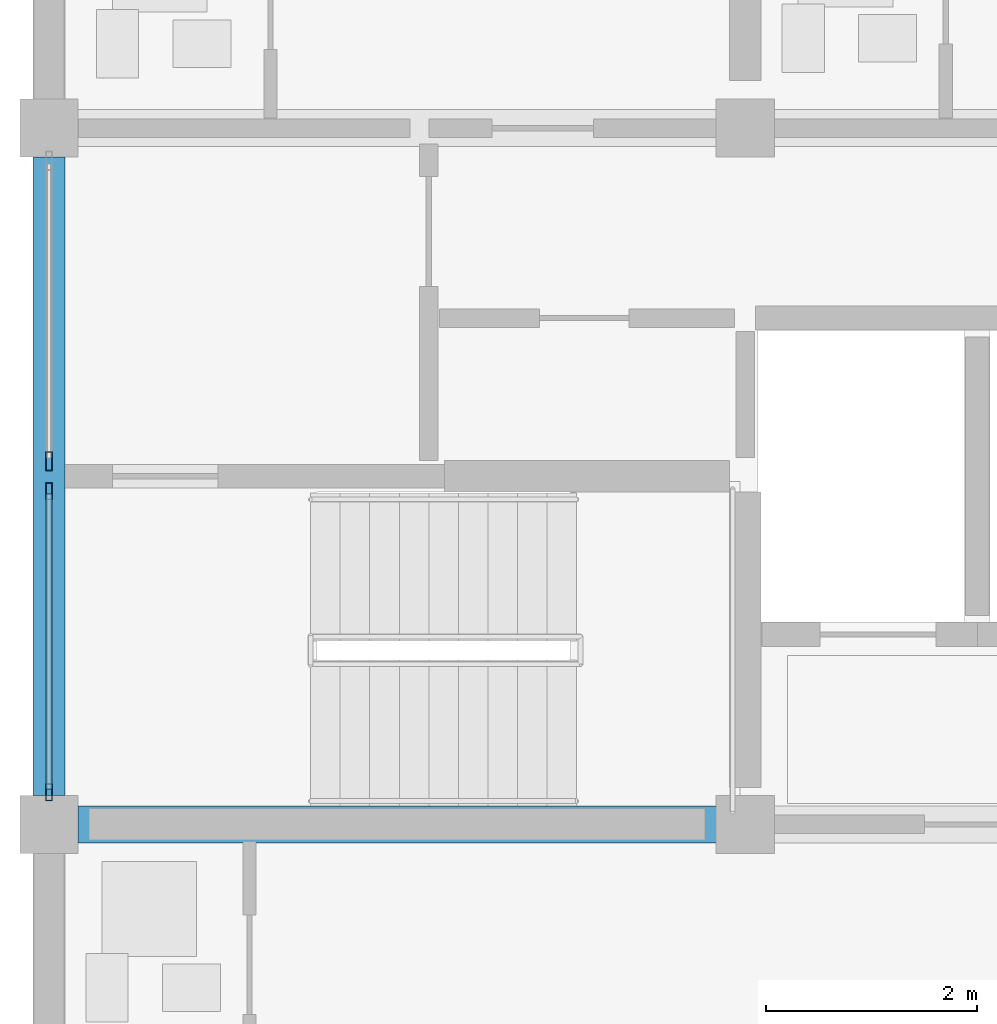
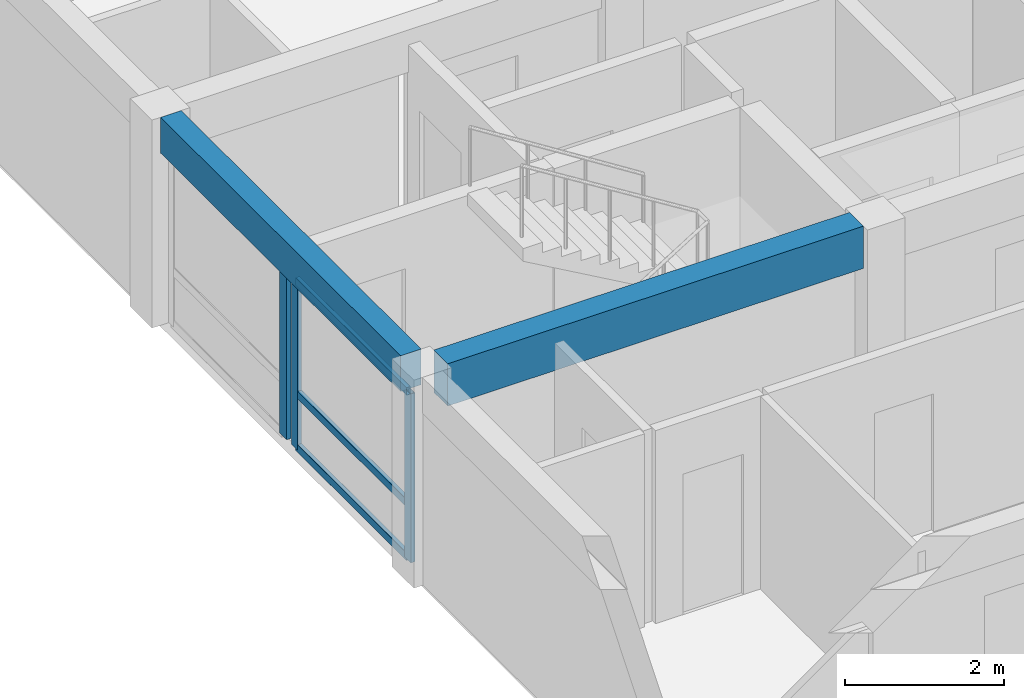
# One storey, part 13 of 46: 6 members, 2 beams, 2 elements without a shape of their own.
"""IFC4 building model written with IfcOpenShell, lengths in metres."""

from ifc_helpers import new_model, si_unit, direction, frame, origin, origin_2d, place, context, subcontext, project, spatial, rectangle, hollow_rectangle, extrude, material, material_profile, profile_set, type_object, element, aggregate, save


model = new_model("IFC4")

# Units and contexts
model_context = context("Model", 3, precision=1e-05, world=origin(), true_north=direction((0.0, 1.0)))
body_context = subcontext(model_context, "Body", "Model", "MODEL_VIEW")
ifc_project = project(units=[si_unit("LENGTHUNIT", "METRE"), si_unit("AREAUNIT", "SQUARE_METRE"), si_unit("VOLUMEUNIT", "CUBIC_METRE"), si_unit("PLANEANGLEUNIT", "RADIAN"), si_unit("MASSUNIT", "GRAM", prefix="KILO")], contexts=[model_context])

# Site, building, storey
site_placement = place(None, origin())
site = spatial("IfcSite", under=ifc_project, at=site_placement, CompositionType="ELEMENT")
building_placement = place(site_placement, origin())
building = spatial("IfcBuilding", under=site, at=building_placement, Name="Kernevlak Ridge Housing Community", CompositionType="ELEMENT")
storey_placement = place(building_placement, frame((0.0, 0.0, 27.60009765625)))
storey = spatial("IfcBuildingStorey", under=building, at=storey_placement, Name="L08", CompositionType="ELEMENT", Elevation=27.60009765625)

# Beam
ifc_material_1 = material(Name="Concrete C35/45", Category="concrete")
ifc_material_profile_1 = material_profile(ifc_material_1, rectangle(XDim=0.35009765625, YDim=0.64990234375, at=origin_2d()), Name="RC 350x650")
ifc_profile_set_1 = profile_set([ifc_material_profile_1], Name="Concrete C35/45")
beam_type_1 = type_object("IfcBeamType", Name="B-02", PredefinedType="BEAM", material=ifc_profile_set_1)
beam_1_placement = place(storey_placement, frame((15.875, 82.60009765625, 2.875), z_axis=(1.0, 0.0, 0.0), x_axis=(0.0, 1.0, 0.0)))
element("IfcBeam", 1, at=beam_1_placement, inside=storey, type_object=beam_type_1, Name="Beam B-02 L08 270", PredefinedType="BEAM", context=body_context, shape_type="SweptSolid", body=[
    extrude(rectangle(XDim=0.35009765625, YDim=0.64990234375, at=origin_2d()), origin(), (0.0, 0.0, 1.0), 6.050048828125),
])

# Curtain wall, members
ifc_material_2 = material(Name="Aluminium EN AW-6060 anodised and laminated glass", Category="aluminium")
curtain_wall_type_1 = type_object("IfcCurtainWallType", Name="CW-01", PredefinedType="NOTDEFINED", material=ifc_material_2)
curtain_wall_1_placement = place(storey_placement, origin())
curtain_wall_1 = element("IfcCurtainWall", 2, at=curtain_wall_1_placement, inside=storey, type_object=curtain_wall_type_1, Name="Curtain wall CW-01 CW-L08-025", PredefinedType="NOTDEFINED")
ifc_material_3 = material(Name="Aluminium EN AW-6060 anodised", Category="aluminium")
ifc_material_profile_2 = material_profile(ifc_material_3, hollow_rectangle(XDim=0.06005859375, YDim=0.159912109375, WallThickness=0.00390625, InnerFilletRadius=0.001953125, OuterFilletRadius=0.00390625, at=origin_2d()), Name="ALU 60x160x4")
ifc_profile_set_2 = profile_set([ifc_material_profile_2], Name="Aluminium EN AW-6060 anodised")
member_type_1 = type_object("IfcMemberType", Name="MU-02", PredefinedType="MULLION", material=ifc_profile_set_2)
member_1_placement = place(storey_placement, frame((15.60009765625, 82.905029296875, 0.0), z_axis=(0.0, 0.0, 1.0), x_axis=(-1.0, 0.0, 0.0)))
member_1 = element("IfcMember", 3, at=member_1_placement, type_object=member_type_1, Name="CW-01 mullion 1", PredefinedType="MULLION", context=body_context, shape_type="SweptSolid", body=[
    extrude(hollow_rectangle(XDim=0.06005859375, YDim=0.159912109375, WallThickness=0.00390625, InnerFilletRadius=0.001953125, OuterFilletRadius=0.00390625, at=origin_2d()), origin(), (0.0, 0.0, 1.0), 2.599853515625),
])
member_2_placement = place(storey_placement, frame((15.60009765625, 85.760009765625, 0.0), z_axis=(0.0, 0.0, 1.0), x_axis=(-1.0, 0.0, 0.0)))
member_2 = element("IfcMember", 4, at=member_2_placement, type_object=member_type_1, Name="CW-01 mullion 2", PredefinedType="MULLION", context=body_context, shape_type="SweptSolid", body=[
    extrude(hollow_rectangle(XDim=0.06005859375, YDim=0.159912109375, WallThickness=0.00390625, InnerFilletRadius=0.001953125, OuterFilletRadius=0.00390625, at=origin_2d()), origin(), (0.0, 0.0, 1.0), 2.599853515625),
])

# Curtain wall, member
curtain_wall_type_2 = type_object("IfcCurtainWallType", Name="CW-06", PredefinedType="NOTDEFINED", material=ifc_material_2)
curtain_wall_2_placement = place(storey_placement, origin())
curtain_wall_2 = element("IfcCurtainWall", 5, at=curtain_wall_2_placement, inside=storey, type_object=curtain_wall_type_2, Name="Curtain wall CW-06 CW-L08-026", PredefinedType="NOTDEFINED")
ifc_material_profile_3 = material_profile(ifc_material_3, hollow_rectangle(XDim=0.06494140625, YDim=0.179931640625, WallThickness=0.00439453125, InnerFilletRadius=0.001953125, OuterFilletRadius=0.00439453125, at=origin_2d()), Name="ALU 65x180x4.5")
ifc_profile_set_3 = profile_set([ifc_material_profile_3], Name="Aluminium EN AW-6060 anodised")
member_type_2 = type_object("IfcMemberType", Name="MU-03", PredefinedType="MULLION", material=ifc_profile_set_3)
member_3_placement = place(storey_placement, frame((15.60009765625, 86.04248046875, 0.0), z_axis=(0.0, 0.0, 1.0), x_axis=(-1.0, 0.0, 0.0)))
member_3 = element("IfcMember", 6, at=member_3_placement, type_object=member_type_2, Name="CW-06 mullion 1", PredefinedType="MULLION", context=body_context, shape_type="SweptSolid", body=[
    extrude(hollow_rectangle(XDim=0.06494140625, YDim=0.179931640625, WallThickness=0.00439453125, InnerFilletRadius=0.001953125, OuterFilletRadius=0.00439453125, at=origin_2d()), origin(), (0.0, 0.0, 1.0), 2.599853515625),
])
aggregate(curtain_wall_2, [member_3])

# Beam
ifc_material_profile_4 = material_profile(ifc_material_1, rectangle(XDim=0.300048828125, YDim=0.550048828125, at=origin_2d()), Name="RC 300x550")
ifc_profile_set_4 = profile_set([ifc_material_profile_4], Name="Concrete C35/45")
beam_type_2 = type_object("IfcBeamType", Name="SP-01", PredefinedType="SPANDREL", material=ifc_profile_set_4)
beam_2_placement = place(storey_placement, frame((15.60009765625, 82.875, 2.9248046875), z_axis=(0.0, 1.0, 0.0), x_axis=(-1.0, 0.0, 0.0)))
element("IfcBeam", 7, at=beam_2_placement, inside=storey, type_object=beam_type_2, Name="Beam SP-01 L08 286", PredefinedType="SPANDREL", context=body_context, shape_type="SweptSolid", body=[
    extrude(rectangle(XDim=0.300048828125, YDim=0.550048828125, at=origin_2d()), origin(), (0.0, 0.0, 1.0), 6.050048828125),
])

# Member
ifc_material_profile_5 = material_profile(ifc_material_3, hollow_rectangle(XDim=0.06005859375, YDim=0.1201171875, WallThickness=0.00390625, InnerFilletRadius=0.001953125, OuterFilletRadius=0.00390625, at=origin_2d()), Name="ALU 60x120x4")
ifc_profile_set_5 = profile_set([ifc_material_profile_5], Name="Aluminium EN AW-6060 anodised")
member_type_3 = type_object("IfcMemberType", Name="TM-02", PredefinedType="USERDEFINED", material=ifc_profile_set_5)
member_4_placement = place(storey_placement, frame((15.60009765625, 82.93505859375, 0.02978515625), z_axis=(0.0, 1.0, 0.0), x_axis=(-1.0, 0.0, 0.0)))
member_4 = element("IfcMember", 8, at=member_4_placement, type_object=member_type_3, Name="CW-01 transom 1.1", ObjectType="TRANSOM", PredefinedType="USERDEFINED", context=body_context, shape_type="SweptSolid", body=[
    extrude(hollow_rectangle(XDim=0.06005859375, YDim=0.1201171875, WallThickness=0.00390625, InnerFilletRadius=0.001953125, OuterFilletRadius=0.00390625, at=origin_2d()), origin(), (0.0, 0.0, 1.0), 2.794921875),
])

member_5_placement = place(storey_placement, frame((15.60009765625, 82.93505859375, 0.849853515625), z_axis=(0.0, 1.0, 0.0), x_axis=(-1.0, 0.0, 0.0)))
member_5 = element("IfcMember", 9, at=member_5_placement, type_object=member_type_3, Name="CW-01 transom 1.2", ObjectType="TRANSOM", PredefinedType="USERDEFINED", context=body_context, shape_type="SweptSolid", body=[
    extrude(hollow_rectangle(XDim=0.06005859375, YDim=0.1201171875, WallThickness=0.00390625, InnerFilletRadius=0.001953125, OuterFilletRadius=0.00390625, at=origin_2d()), origin(), (0.0, 0.0, 1.0), 2.794921875),
])

member_6_placement = place(storey_placement, frame((15.60009765625, 82.93505859375, 2.56982421875), z_axis=(0.0, 1.0, 0.0), x_axis=(-1.0, 0.0, 0.0)))
member_6 = element("IfcMember", 10, at=member_6_placement, type_object=member_type_3, Name="CW-01 transom 1.3", ObjectType="TRANSOM", PredefinedType="USERDEFINED", context=body_context, shape_type="SweptSolid", body=[
    extrude(hollow_rectangle(XDim=0.06005859375, YDim=0.1201171875, WallThickness=0.00390625, InnerFilletRadius=0.001953125, OuterFilletRadius=0.00390625, at=origin_2d()), origin(), (0.0, 0.0, 1.0), 2.794921875),
])

aggregate(curtain_wall_1, [member_1, member_2, member_4, member_5, member_6])

save(model, "model.ifc")
